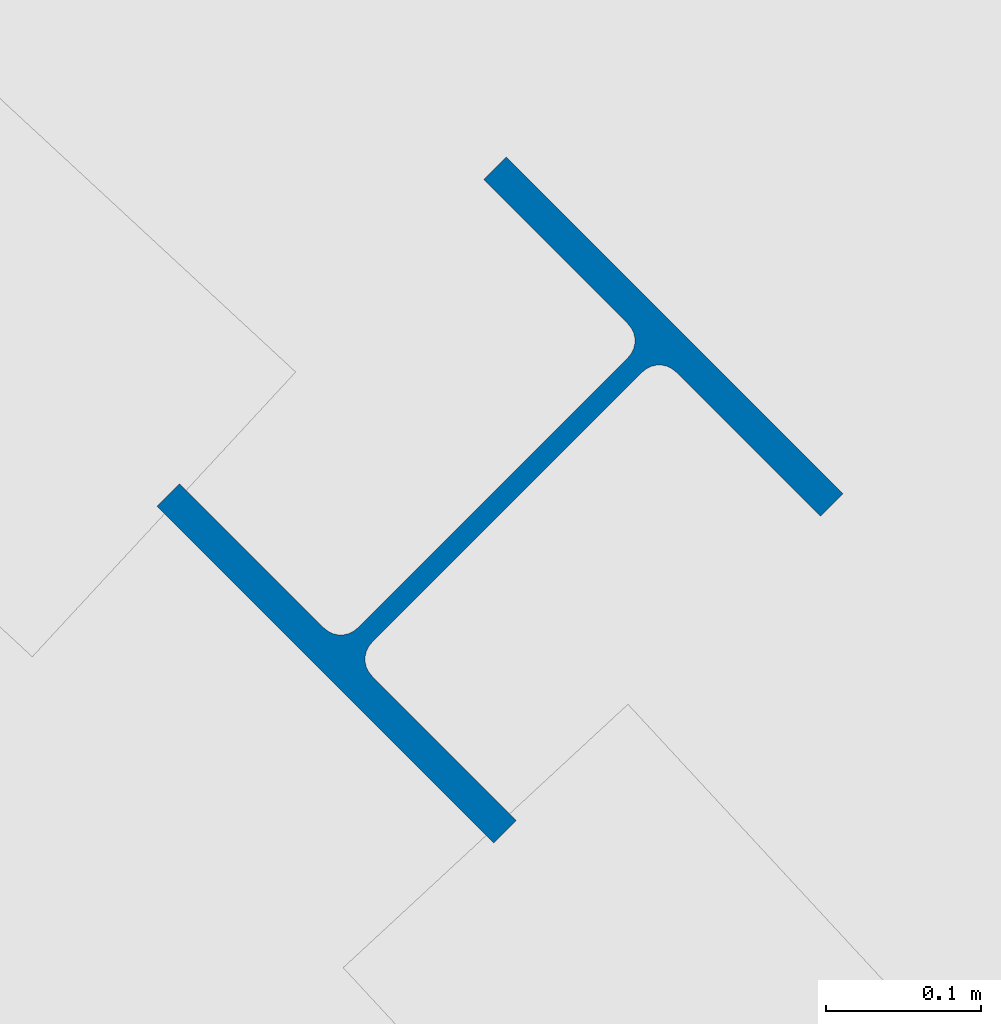
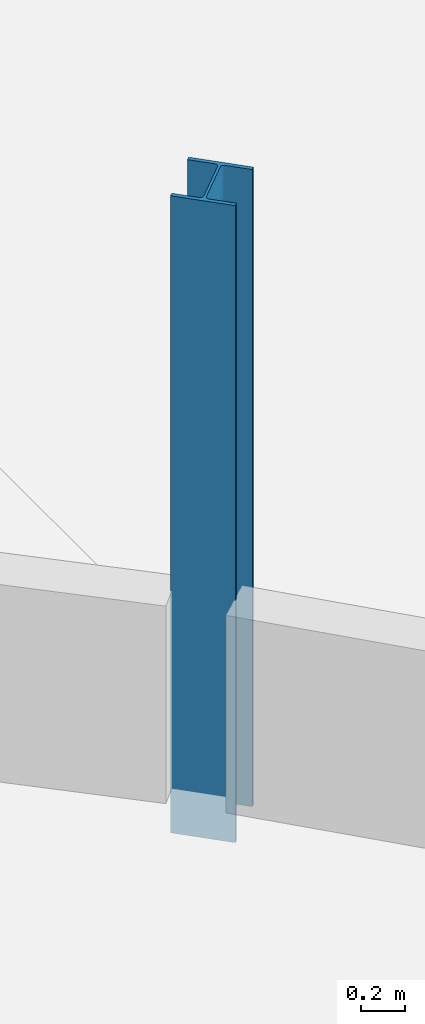
# One storey, part 43 of 130: 1 column.
"""IFC4 building model written with IfcOpenShell, lengths in metres."""

from ifc_helpers import new_model, si_unit, direction, frame, origin, origin_2d, place, context, subcontext, project, spatial, i_section, extrude, material, material_profile, profile_set, type_object, element, save


model = new_model("IFC4")

# Units and contexts
model_context = context("Model", 3, precision=1e-05, world=origin(), true_north=direction((0.0, 1.0)))
body_context = subcontext(model_context, "Body", "Model", "MODEL_VIEW")
ifc_project = project(units=[si_unit("LENGTHUNIT", "METRE"), si_unit("AREAUNIT", "SQUARE_METRE"), si_unit("VOLUMEUNIT", "CUBIC_METRE"), si_unit("PLANEANGLEUNIT", "RADIAN"), si_unit("MASSUNIT", "GRAM", prefix="KILO")], contexts=[model_context])

# Site, building, storey
site_placement = place(None, origin())
site = spatial("IfcSite", under=ifc_project, at=site_placement, CompositionType="ELEMENT")
building_placement = place(site_placement, origin())
building = spatial("IfcBuilding", under=site, at=building_placement, Name="Parallax Yard Mobility Hub", CompositionType="ELEMENT")
storey_placement = place(building_placement, origin())
storey = spatial("IfcBuildingStorey", under=building, at=storey_placement, Name="L00", CompositionType="ELEMENT", Elevation=0.0)

# Column
ifc_material = material(Name="Steel ASTM A992", Category="steel")
ifc_material_profile = material_profile(ifc_material, i_section(OverallWidth=0.306884765625, OverallDepth=0.318115234375, WebThickness=0.01318359375, FlangeThickness=0.0205078125, FilletRadius=0.01513671875, at=origin_2d()), Name="W310x129")
ifc_profile_set = profile_set([ifc_material_profile], Name="Steel ASTM A992")
column_type = type_object("IfcColumnType", Name="W310x129 column", PredefinedType="COLUMN", material=ifc_profile_set)
column_placement = place(storey_placement, frame((209.623046875, 127.123046875, -0.25), z_axis=(0.0, 0.0, 1.0), x_axis=(-0.707106781187, 0.707106781187, 0.0)))
element("IfcColumn", 1, at=column_placement, inside=storey, type_object=column_type, Name="Column C3 level L00 at RC/R5 of ramped parking decks", PredefinedType="COLUMN", context=body_context, shape_type="SweptSolid", body=[
    extrude(i_section(OverallWidth=0.306884765625, OverallDepth=0.318115234375, WebThickness=0.01318359375, FlangeThickness=0.0205078125, FilletRadius=0.01513671875, at=origin_2d()), origin(), (0.0, 0.0, 1.0), 3.550048828125),
])

save(model, "model.ifc")
